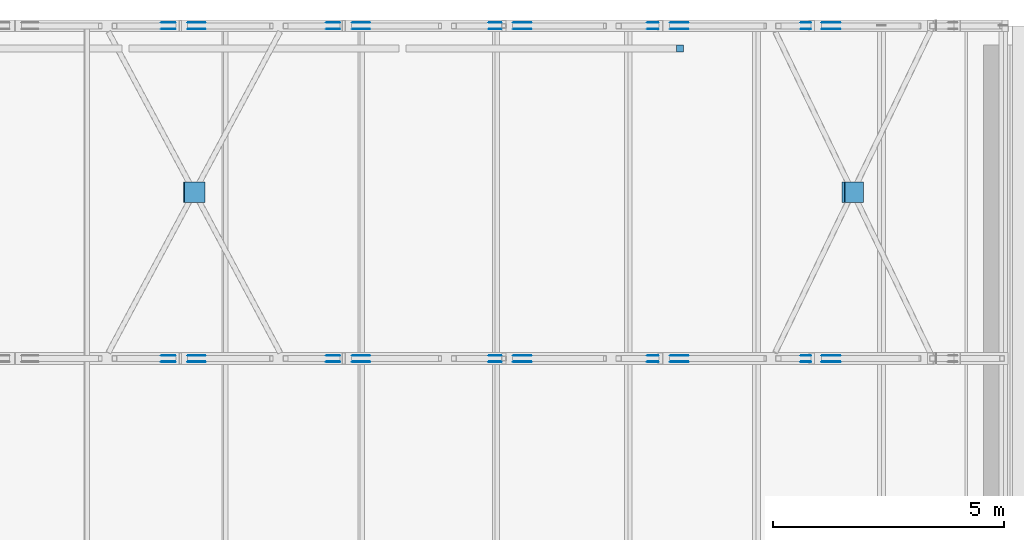
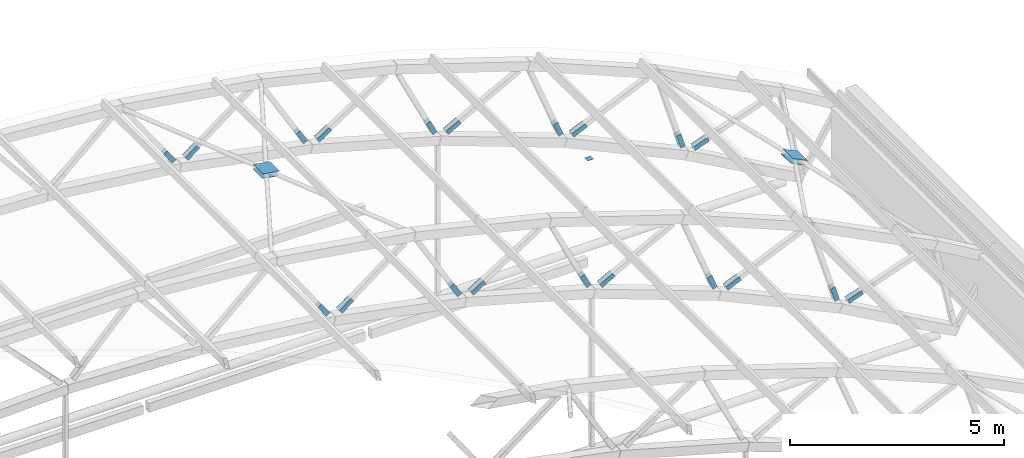
# One storey, part 92 of 127: 45 discrete accessories.
"""IFC4 building model written with IfcOpenShell, lengths in metres."""

from ifc_helpers import new_model, si_unit, direction, frame, origin, origin_2d, place, context, subcontext, project, spatial, rectangle, extrude, material, material_profile, profile_set, type_object, element, save


model = new_model("IFC4")

# Units and contexts
model_context = context("Model", 3, precision=1e-05, world=origin(), true_north=direction((0.0, 1.0)))
body_context = subcontext(model_context, "Body", "Model", "MODEL_VIEW")
ifc_project = project(units=[si_unit("LENGTHUNIT", "METRE"), si_unit("AREAUNIT", "SQUARE_METRE"), si_unit("VOLUMEUNIT", "CUBIC_METRE"), si_unit("PLANEANGLEUNIT", "RADIAN"), si_unit("MASSUNIT", "GRAM", prefix="KILO")], contexts=[model_context])

# Site, building, storey
site_placement = place(None, origin())
site = spatial("IfcSite", under=ifc_project, at=site_placement, CompositionType="ELEMENT")
building_placement = place(site_placement, origin())
building = spatial("IfcBuilding", under=site, at=building_placement, Name="Verrick Yard Athletic Hall", CompositionType="ELEMENT")
storey_placement = place(building_placement, frame((0.0, 0.0, 14.0)))
storey = spatial("IfcBuildingStorey", under=building, at=storey_placement, Name="L03", CompositionType="ELEMENT", Elevation=14.0)

# Discrete accessories
ifc_material = material(Name="Structural steel 350W (CSA G40.21)", Category="steel")
ifc_material_profile_1 = material_profile(ifc_material, rectangle(XDim=0.39990234375, YDim=0.126953125, at=origin_2d()), Name="Brace end cheek plate")
ifc_profile_set_1 = profile_set([ifc_material_profile_1], Name="Structural steel 350W (CSA G40.21)")
discrete_accessory_type_1 = type_object("IfcDiscreteAccessoryType", Name="Brace end cheek plate 400x127x12", PredefinedType="BRACKET", material=ifc_profile_set_1)
for number, where, z_axis, x_axis, name in (
    (1, (58.92822265625, 100.736572265625, 6.56103515625), (0.0, -1.0, 0.0), (-0.570674326681, 0.0, 0.821176480951), "Truss web end plate TB5-18 1"),
    (2, (58.92822265625, 100.863525390625, 6.56103515625), (0.0, 1.0, 0.0), (-0.570674326681, 0.0, 0.821176480951), "Truss web end plate TB5-18 2"),
    (3, (59.541748046875, 100.863525390625, 6.464111328125), (0.0, 1.0, 0.0), (0.796193473644, 0.0, 0.605042108061), "Truss web end plate TB5-19 1"),
    (4, (59.541748046875, 100.736572265625, 6.464111328125), (0.0, -1.0, 0.0), (0.796193473644, 0.0, 0.605042108061), "Truss web end plate TB5-19 2"),
    (5, (62.494873046875, 100.736572265625, 5.877685546875), (0.0, -1.0, 0.0), (-0.504596608522, 0.0, 0.863355235502), "Truss web end plate TB5-20 1"),
    (6, (62.494873046875, 100.863525390625, 5.877685546875), (0.0, 1.0, 0.0), (-0.504596608522, 0.0, 0.863355235502), "Truss web end plate TB5-20 2"),
    (7, (63.098876953125, 100.863525390625, 5.73291015625), (0.0, 1.0, 0.0), (0.841141186405, 0.0, 0.540815591984), "Truss web end plate TB5-21 1"),
    (8, (63.098876953125, 100.736572265625, 5.73291015625), (0.0, -1.0, 0.0), (0.841141186405, 0.0, 0.540815591984), "Truss web end plate TB5-21 2"),
    (9, (65.9970703125, 100.736572265625, 4.9169921875), (0.0, -1.0, 0.0), (-0.435417263932, 0.0, 0.90022875219), "Truss web end plate TB5-22 1"),
    (10, (65.9970703125, 100.863525390625, 4.9169921875), (0.0, 1.0, 0.0), (-0.435417263932, 0.0, 0.90022875219), "Truss web end plate TB5-22 2"),
    (11, (66.587890625, 100.863525390625, 4.725341796875), (0.0, 1.0, 0.0), (0.880919955637, 0.0, 0.473265286876), "Truss web end plate TB5-23 1"),
    (12, (66.587890625, 100.736572265625, 4.725341796875), (0.0, -1.0, 0.0), (0.880919955637, 0.0, 0.473265286876), "Truss web end plate TB5-23 2"),
    (13, (69.413330078125, 100.736572265625, 3.684814453125), (0.0, -1.0, 0.0), (-0.363562561074, 0.0, 0.931569784925), "Truss web end plate TB5-24 1"),
    (14, (69.413330078125, 100.863525390625, 3.684814453125), (0.0, 1.0, 0.0), (-0.363562561074, 0.0, 0.931569784925), "Truss web end plate TB5-24 2"),
    (15, (69.987060546875, 100.863525390625, 3.447509765625), (0.0, 1.0, 0.0), (0.915285173692, 0.0, 0.402806468194), "Truss web end plate TB5-25 1"),
    (16, (69.987060546875, 100.736572265625, 3.447509765625), (0.0, -1.0, 0.0), (0.915285173692, 0.0, 0.402806468194), "Truss web end plate TB5-25 2"),
    (17, (72.722412109375, 100.736572265625, 2.18896484375), (0.0, -1.0, 0.0), (-0.289473335175, 0.0, 0.95718607816), "Truss web end plate TB5-26 1"),
    (18, (72.722412109375, 100.863525390625, 2.18896484375), (0.0, 1.0, 0.0), (-0.289473335175, 0.0, 0.95718607816), "Truss web end plate TB5-26 2"),
    (19, (73.27587890625, 100.863525390625, 1.907470703125), (0.0, 1.0, 0.0), (0.944025603302, 0.0, 0.32987218784), "Truss web end plate TB5-27 1"),
    (20, (73.27587890625, 100.736572265625, 1.907470703125), (0.0, -1.0, 0.0), (0.944025603302, 0.0, 0.32987218784), "Truss web end plate TB5-27 2"),
    (21, (58.92822265625, 107.9365234375, 6.56103515625), (0.0, -1.0, 0.0), (-0.570674326681, 0.0, 0.821176480951), "Truss web end plate TB6-18 1"),
    (22, (58.92822265625, 108.0634765625, 6.56103515625), (0.0, 1.0, 0.0), (-0.570674326681, 0.0, 0.821176480951), "Truss web end plate TB6-18 2"),
    (23, (59.541748046875, 108.0634765625, 6.464111328125), (0.0, 1.0, 0.0), (0.796193473644, 0.0, 0.605042108061), "Truss web end plate TB6-19 1"),
    (24, (59.541748046875, 107.9365234375, 6.464111328125), (0.0, -1.0, 0.0), (0.796193473644, 0.0, 0.605042108061), "Truss web end plate TB6-19 2"),
    (25, (62.494873046875, 107.9365234375, 5.877685546875), (0.0, -1.0, 0.0), (-0.504596608522, 0.0, 0.863355235502), "Truss web end plate TB6-20 1"),
    (26, (62.494873046875, 108.0634765625, 5.877685546875), (0.0, 1.0, 0.0), (-0.504596608522, 0.0, 0.863355235502), "Truss web end plate TB6-20 2"),
    (27, (63.098876953125, 108.0634765625, 5.73291015625), (0.0, 1.0, 0.0), (0.841141186405, 0.0, 0.540815591984), "Truss web end plate TB6-21 1"),
    (28, (63.098876953125, 107.9365234375, 5.73291015625), (0.0, -1.0, 0.0), (0.841141186405, 0.0, 0.540815591984), "Truss web end plate TB6-21 2"),
    (29, (65.9970703125, 107.9365234375, 4.9169921875), (0.0, -1.0, 0.0), (-0.435417263932, 0.0, 0.90022875219), "Truss web end plate TB6-22 1"),
    (30, (65.9970703125, 108.0634765625, 4.9169921875), (0.0, 1.0, 0.0), (-0.435417263932, 0.0, 0.90022875219), "Truss web end plate TB6-22 2"),
    (31, (66.587890625, 108.0634765625, 4.725341796875), (0.0, 1.0, 0.0), (0.880919955637, 0.0, 0.473265286876), "Truss web end plate TB6-23 1"),
    (32, (66.587890625, 107.9365234375, 4.725341796875), (0.0, -1.0, 0.0), (0.880919955637, 0.0, 0.473265286876), "Truss web end plate TB6-23 2"),
    (33, (69.413330078125, 107.9365234375, 3.684814453125), (0.0, -1.0, 0.0), (-0.363562561074, 0.0, 0.931569784925), "Truss web end plate TB6-24 1"),
    (34, (69.413330078125, 108.0634765625, 3.684814453125), (0.0, 1.0, 0.0), (-0.363562561074, 0.0, 0.931569784925), "Truss web end plate TB6-24 2"),
    (35, (69.987060546875, 108.0634765625, 3.447509765625), (0.0, 1.0, 0.0), (0.915285173692, 0.0, 0.402806468194), "Truss web end plate TB6-25 1"),
    (36, (69.987060546875, 107.9365234375, 3.447509765625), (0.0, -1.0, 0.0), (0.915285173692, 0.0, 0.402806468194), "Truss web end plate TB6-25 2"),
    (37, (72.722412109375, 107.9365234375, 2.18896484375), (0.0, -1.0, 0.0), (-0.289473335175, 0.0, 0.95718607816), "Truss web end plate TB6-26 1"),
    (38, (72.722412109375, 108.0634765625, 2.18896484375), (0.0, 1.0, 0.0), (-0.289473335175, 0.0, 0.95718607816), "Truss web end plate TB6-26 2"),
    (39, (73.27587890625, 108.0634765625, 1.907470703125), (0.0, 1.0, 0.0), (0.944025603302, 0.0, 0.32987218784), "Truss web end plate TB6-27 1"),
    (40, (73.27587890625, 107.9365234375, 1.907470703125), (0.0, -1.0, 0.0), (0.944025603302, 0.0, 0.32987218784), "Truss web end plate TB6-27 2"),
):
    element("IfcDiscreteAccessory", number, at=place(storey_placement, frame(where, z_axis=z_axis, x_axis=x_axis)), inside=storey, type_object=discrete_accessory_type_1, Name=name, PredefinedType="BRACKET", context=body_context, shape_type="SweptSolid", body=[
        extrude(rectangle(XDim=0.39990234375, YDim=0.126953125, at=origin_2d()), origin(), (0.0, 0.0, 1.0), 0.011962890625),
    ])
ifc_material_profile_2 = material_profile(ifc_material, rectangle(XDim=0.449951171875, YDim=0.449951171875, at=origin_2d()), Name="Brace node plate")
ifc_profile_set_2 = profile_set([ifc_material_profile_2], Name="Structural steel 350W (CSA G40.21)")
discrete_accessory_type_2 = type_object("IfcDiscreteAccessoryType", Name="Brace node plate 450x450x12", PredefinedType="BRACKET", material=ifc_profile_set_2)
for number, where, z_axis, x_axis, name in (
    (41, (59.482177734375, 104.39990234375, 8.0751953125), (-0.164398987305, 0.0, -0.986393923832), (0.0, -1.0, 0.0), "Brace node plate B5-8 1"),
    (42, (59.5, 104.39990234375, 8.188232421875), (0.164398987305, 0.0, 0.986393923832), (0.0, 1.0, 0.0), "Brace node plate B5-8 2"),
    (43, (73.71630859375, 104.39990234375, 3.458251953125), (-0.4472135955, 0.0, -0.894427191), (0.0, -1.0, 0.0), "Brace node plate B5-12 1"),
    (44, (73.76806640625, 104.39990234375, 3.56005859375), (0.4472135955, 0.0, 0.894427191), (0.0, 1.0, 0.0), "Brace node plate B5-12 2"),
):
    element("IfcDiscreteAccessory", number, at=place(storey_placement, frame(where, z_axis=z_axis, x_axis=x_axis)), inside=storey, type_object=discrete_accessory_type_2, Name=name, PredefinedType="BRACKET", context=body_context, shape_type="SweptSolid", body=[
        extrude(rectangle(XDim=0.449951171875, YDim=0.449951171875, at=origin_2d()), origin(), (0.0, 0.0, 1.0), 0.011962890625),
    ])
ifc_material_profile_3 = material_profile(ifc_material, rectangle(XDim=0.15234375, YDim=0.15234375, at=origin_2d()), Name="STR End cap plate 152x152x9.5")
ifc_profile_set_3 = profile_set([ifc_material_profile_3], Name="Structural steel 350W (CSA G40.21)")
discrete_accessory_type_3 = type_object("IfcDiscreteAccessoryType", Name="STR End cap plate 152x152x9.5", PredefinedType="BRACKET", material=ifc_profile_set_3)
discrete_accessory_placement = place(storey_placement, frame((70.0, 107.50537109375, 2.89697265625), z_axis=(0.0, 0.0, 1.0), x_axis=(1.0, 0.0, 0.0)))
element("IfcDiscreteAccessory", 45, at=discrete_accessory_placement, inside=storey, type_object=discrete_accessory_type_3, Name="End cap HB-GP-BN-7 B", PredefinedType="BRACKET", context=body_context, shape_type="SweptSolid", body=[
    extrude(rectangle(XDim=0.15234375, YDim=0.15234375, at=origin_2d()), origin(), (0.0, 0.0, 1.0), 0.010009765625),
])

save(model, "model.ifc")
